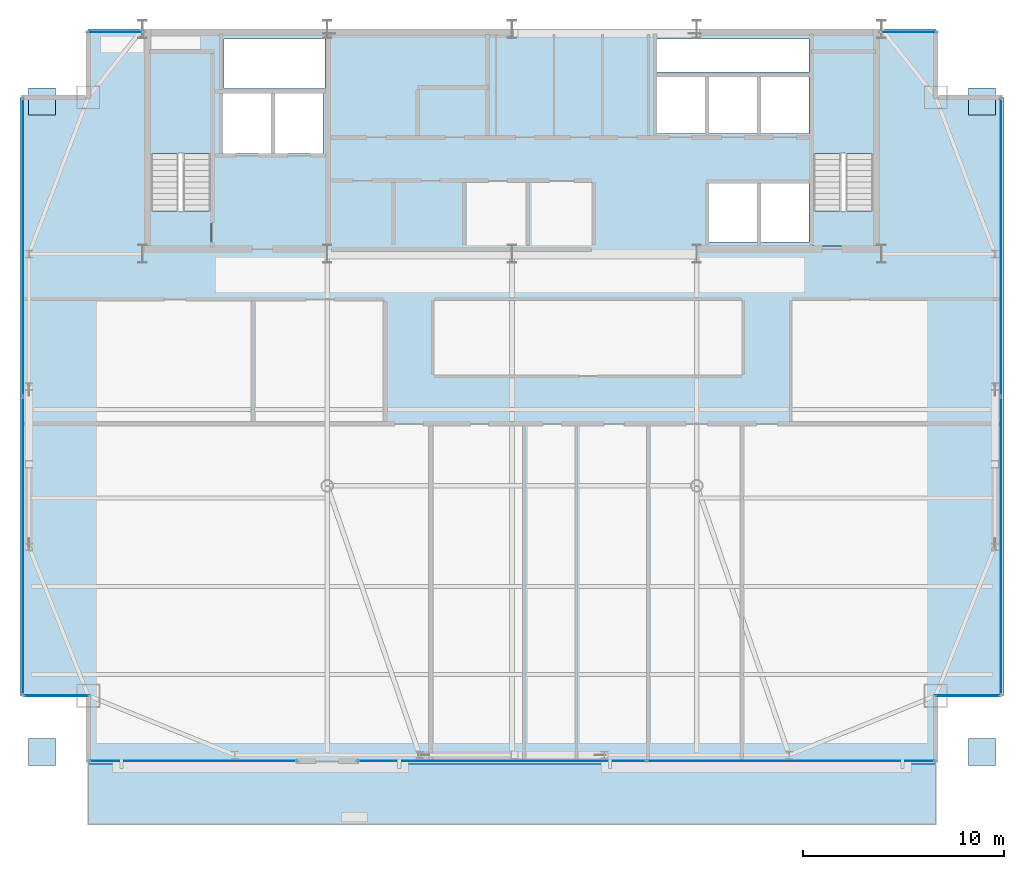
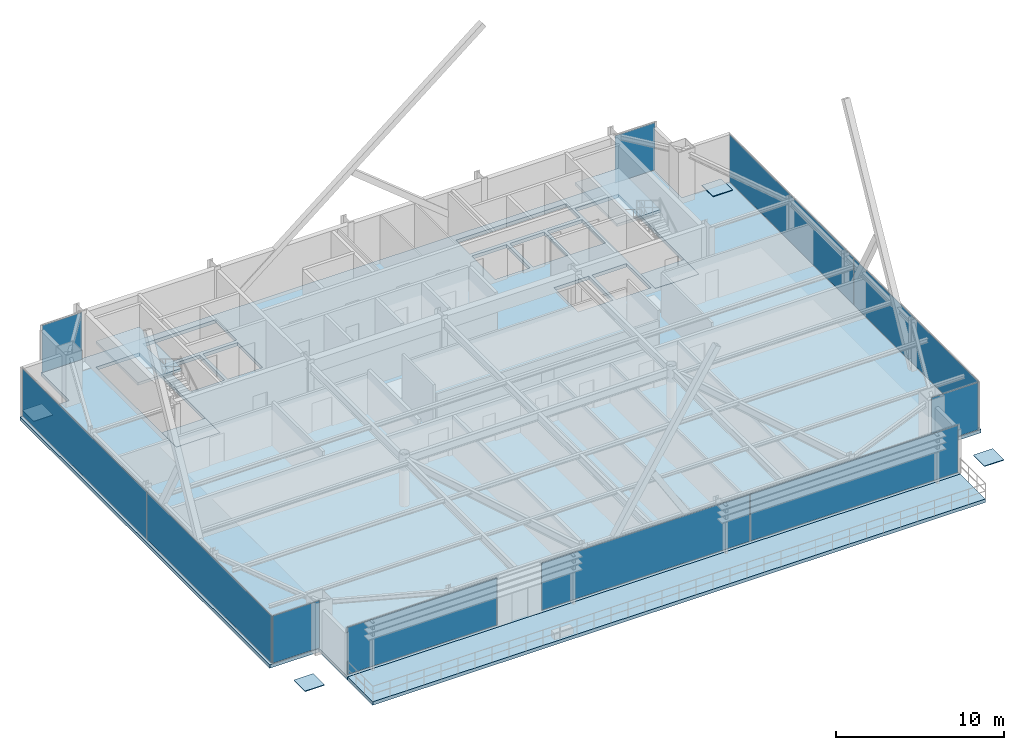
# One storey, part 25 of 33: 15 plates, 6 slabs, 10 elements without a shape of their own.
"""IFC4 building model written with IfcOpenShell, lengths in metres."""

from ifc_helpers import new_model, si_unit, direction, frame, origin, origin_2d, place, context, subcontext, project, spatial, polyline, rectangle, outline, extrude, source, transform, mapped, material, layer, layer_set, type_object, type_shapes, element, aggregate, save


model = new_model("IFC4")

# Units and contexts
model_context = context("Model", 3, precision=1e-05, world=origin(), true_north=direction((0.0, 1.0)))
body_context = subcontext(model_context, "Body", "Model", "MODEL_VIEW")
ifc_project = project(units=[si_unit("LENGTHUNIT", "METRE"), si_unit("AREAUNIT", "SQUARE_METRE"), si_unit("VOLUMEUNIT", "CUBIC_METRE"), si_unit("PLANEANGLEUNIT", "RADIAN"), si_unit("MASSUNIT", "GRAM", prefix="KILO")], contexts=[model_context])

# Site, building, storey
site_placement = place(None, origin())
site = spatial("IfcSite", under=ifc_project, at=site_placement, CompositionType="ELEMENT")
building_placement = place(site_placement, origin())
building = spatial("IfcBuilding", under=site, at=building_placement, Name="Varnel Quay Broadcast Tower", CompositionType="ELEMENT")
storey_placement = place(building_placement, frame((0.0, 0.0, 199.800048828125)))
storey = spatial("IfcBuildingStorey", under=building, at=storey_placement, Name="L49", CompositionType="ELEMENT", Elevation=199.800048828125)

# Slabs
ifc_material_1 = material(Name="Concrete CSA A23.3 C40/50", Category="concrete")
ifc_layer_1 = layer(ifc_material_1, 0.25, Name="Concrete CSA A23.3 C40/50")
ifc_layer_set_1 = layer_set([ifc_layer_1], Name="Concrete CSA A23.3 C40/50")
slab_type_1 = type_object("IfcSlabType", Name="Slab_ExtTerrace250", PredefinedType="FLOOR", material=ifc_layer_set_1)
slab_1_placement = place(storey_placement, frame((0.0, 0.0, -0.25)))
element("IfcSlab", 1, at=slab_1_placement, inside=storey, type_object=slab_type_1, Name="L49 Planted Lobe Terrace Slab 1", PredefinedType="FLOOR", context=body_context, shape_type="SweptSolid", body=[
    extrude(outline(polyline([(12.89990234375, 7.199951171875), (55.10009765625, 7.199951171875), (55.10009765625, 10.199951171875), (12.89990234375, 10.199951171875), (12.89990234375, 7.199951171875)])), origin(), (0.0, 0.0, 1.0), 0.25),
])
ifc_material_2 = material(Name="Concrete CSA A23.3 C50/60", Category="concrete")
ifc_layer_2 = layer(ifc_material_2, 0.25, Name="Concrete CSA A23.3 C50/60")
ifc_layer_set_2 = layer_set([ifc_layer_2], Name="Concrete CSA A23.3 C50/60")
slab_type_2 = type_object("IfcSlabType", Name="Slab_Floor250", PredefinedType="FLOOR", material=ifc_layer_set_2)
slab_2_placement = place(storey_placement, frame((0.0, 0.0, -0.25)))
element("IfcSlab", 2, at=slab_2_placement, inside=storey, type_object=slab_type_2, Name="L49 Structural Slab", PredefinedType="FLOOR", context=body_context, shape_type="SweptSolid", body=[
    extrude(outline(polyline([(12.89990234375, 10.199951171875), (55.10009765625, 10.199951171875), (55.10009765625, 13.60009765625), (58.5, 13.60009765625), (58.5, 43.39990234375), (55.10009765625, 43.39990234375), (55.10009765625, 46.800048828125), (12.89990234375, 46.800048828125), (12.89990234375, 43.39990234375), (9.5, 43.39990234375), (9.5, 13.60009765625), (12.89990234375, 13.60009765625), (12.89990234375, 10.199951171875)]), holes=[polyline([(19.0, 36.0), (16.0, 36.0), (16.0, 45.60009765625), (19.0, 45.60009765625), (19.0, 36.0)]), polyline([(19.60009765625, 40.60009765625), (19.60009765625, 43.60009765625), (22.0, 43.60009765625), (22.0, 40.60009765625), (19.60009765625, 40.60009765625)]), polyline([(22.199951171875, 40.60009765625), (22.199951171875, 43.60009765625), (24.60009765625, 43.60009765625), (24.60009765625, 40.60009765625), (22.199951171875, 40.60009765625)]), polyline([(41.199951171875, 44.39990234375), (43.60009765625, 44.39990234375), (43.60009765625, 41.60009765625), (41.199951171875, 41.60009765625), (41.199951171875, 44.39990234375)]), polyline([(43.800048828125, 44.39990234375), (46.199951171875, 44.39990234375), (46.199951171875, 41.60009765625), (43.800048828125, 41.60009765625), (43.800048828125, 44.39990234375)]), polyline([(19.64990234375, 43.85009765625), (19.64990234375, 46.300048828125), (24.679931640625, 46.300048828125), (24.679931640625, 43.85009765625), (19.64990234375, 43.85009765625)]), polyline([(43.800048828125, 39.10009765625), (46.199951171875, 39.10009765625), (46.199951171875, 36.199951171875), (43.800048828125, 36.199951171875), (43.800048828125, 39.10009765625)]), polyline([(46.39990234375, 39.10009765625), (48.800048828125, 39.10009765625), (48.800048828125, 36.199951171875), (46.39990234375, 36.199951171875), (46.39990234375, 39.10009765625)]), polyline([(52.0, 36.0), (49.0, 36.0), (49.0, 45.60009765625), (52.0, 45.60009765625), (52.0, 36.0)]), polyline([(46.39990234375, 44.39990234375), (48.800048828125, 44.39990234375), (48.800048828125, 41.60009765625), (46.39990234375, 41.60009765625), (46.39990234375, 44.39990234375)]), polyline([(41.199951171875, 46.300048828125), (48.800048828125, 46.300048828125), (48.800048828125, 44.64990234375), (41.199951171875, 44.64990234375), (41.199951171875, 46.300048828125)])]), origin(), (0.0, 0.0, 1.0), 0.25),
])
ifc_layer_3 = layer(ifc_material_2, 0.25, Name="Concrete CSA A23.3 C50/60")
ifc_layer_set_3 = layer_set([ifc_layer_3], Name="Concrete CSA A23.3 C50/60")
slab_type_3 = type_object("IfcSlabType", Name="Slab_StairFloorLanding250", PredefinedType="FLOOR", material=ifc_layer_set_3)
slab_3_placement = place(storey_placement, frame((0.0, 0.0, -0.25)))
element("IfcSlab", 3, at=slab_3_placement, inside=storey, type_object=slab_type_3, Name="L49 ST-01 Structural Floor Landing Slab", PredefinedType="FLOOR", context=body_context, shape_type="SweptSolid", body=[
    extrude(outline(polyline([(19.0, 36.0), (19.0, 37.75), (16.0, 37.75), (16.0, 36.0), (19.0, 36.0)])), origin(), (0.0, 0.0, 1.0), 0.25),
])
slab_4_placement = place(storey_placement, frame((0.0, 0.0, -0.25)))
element("IfcSlab", 4, at=slab_4_placement, inside=storey, type_object=slab_type_3, Name="L49 ST-02 Structural Floor Landing Slab", PredefinedType="FLOOR", context=body_context, shape_type="SweptSolid", body=[
    extrude(outline(polyline([(52.0, 36.0), (52.0, 37.75), (49.0, 37.75), (49.0, 36.0), (52.0, 36.0)])), origin(), (0.0, 0.0, 1.0), 0.25),
])

# Stair, slab
ifc_material_3 = material(Name="Precast Structural Concrete C40/50", Category="concrete")
stair_type_1 = type_object("IfcStairType", Name="Stair_ST-01", PredefinedType="HALF_TURN_STAIR", material=ifc_material_3)
stair_1_placement = place(storey_placement, origin())
stair_1 = element("IfcStair", 5, at=stair_1_placement, inside=storey, type_object=stair_type_1, Name="L49 West Core Exit Stair 1", PredefinedType="HALF_TURN_STAIR")
ifc_layer_4 = layer(ifc_material_3, 0.199951171875, Name="Precast Structural Concrete C40/50")
ifc_layer_set_4 = layer_set([ifc_layer_4], Name="Precast Structural Concrete C40/50")
slab_type_4 = type_object("IfcSlabType", Name="Slab_StairLanding200", PredefinedType="LANDING", material=ifc_layer_set_4)
slab_5_placement = place(storey_placement, frame((0.0, 0.0, 1.699951171875)))
slab_5 = element("IfcSlab", 6, at=slab_5_placement, type_object=slab_type_4, Name="ST-01 landing 1", PredefinedType="LANDING", context=body_context, shape_type="SweptSolid", body=[
    extrude(outline(polyline([(19.0, 40.60009765625), (19.0, 45.60009765625), (16.0, 45.60009765625), (16.0, 40.60009765625), (19.0, 40.60009765625)])), origin(), (0.0, 0.0, 1.0), 0.199951171875),
])
aggregate(stair_1, [slab_5])

stair_type_2 = type_object("IfcStairType", Name="Stair_ST-02", PredefinedType="HALF_TURN_STAIR", material=ifc_material_3)
stair_2_placement = place(storey_placement, origin())
stair_2 = element("IfcStair", 7, at=stair_2_placement, inside=storey, type_object=stair_type_2, Name="L49 East Core Exit Stair 2", PredefinedType="HALF_TURN_STAIR")
slab_6_placement = place(storey_placement, frame((0.0, 0.0, 1.699951171875)))
slab_6 = element("IfcSlab", 8, at=slab_6_placement, type_object=slab_type_4, Name="ST-02 landing 1", PredefinedType="LANDING", context=body_context, shape_type="SweptSolid", body=[
    extrude(outline(polyline([(52.0, 40.60009765625), (52.0, 45.60009765625), (49.0, 45.60009765625), (49.0, 40.60009765625), (52.0, 40.60009765625)])), origin(), (0.0, 0.0, 1.0), 0.199951171875),
])
aggregate(stair_2, [slab_6])

# Plates
ifc_material_4 = material(Name="Structural Steel CSA G40.21 350WT", Category="steel")
ifc_layer_5 = layer(ifc_material_4, 0.050048828125, Name="Structural Steel CSA G40.21 350WT")
ifc_layer_set_5 = layer_set([ifc_layer_5], Name="Structural Steel CSA G40.21 350WT")
plate_type_1 = type_object("IfcPlateType", Name="Plate_BasePlate", PredefinedType="SHEET", material=ifc_layer_set_5)
shared_shape_1 = source(origin(), body_context, "Body", "SweptSolid", [
    extrude(rectangle(XDim=1.340087890625, YDim=1.340087890625, at=origin_2d()), origin(), (0.0, 0.0, 1.0), 0.050048828125),
])
type_shapes(plate_type_1, [shared_shape_1])
for number, where, z_axis, x_axis, name in (
    (9, (10.60009765625, 10.800048828125, -0.0048828125), (0.0, 0.0, 1.0), (1.0, 0.0, 0.0), "L48 Hollow Column Top Cap Plate MC-SW"),
    (10, (57.39990234375, 10.800048828125, -0.0048828125), (0.0, 0.0, 1.0), (1.0, 0.0, 0.0), "L48 Hollow Column Top Cap Plate MC-SE"),
    (11, (57.39990234375, 43.199951171875, -0.0048828125), (0.0, 0.0, 1.0), (1.0, 0.0, 0.0), "L48 Hollow Column Top Cap Plate MC-NE"),
    (12, (10.60009765625, 43.199951171875, -0.0048828125), (0.0, 0.0, 1.0), (1.0, 0.0, 0.0), "L48 Hollow Column Top Cap Plate MC-NW"),
):
    element("IfcPlate", number, at=place(storey_placement, frame(where, z_axis=z_axis, x_axis=x_axis)), inside=storey, type_object=plate_type_1, Name=name, PredefinedType="SHEET", context=body_context, shape_type="MappedRepresentation", body=[
        mapped(shared_shape_1, transform((0.0, 0.0, 0.0), x_axis=(1.0, 0.0, 0.0), y_axis=(0.0, 1.0, 0.0), z_axis=(0.0, 0.0, 1.0), scale=1.0)),
    ])

# Curtain wall, plate
ifc_material_5 = material(Name="Anodised Bronze Aluminium 6063-T6", Category="aluminium")
ifc_layer_6 = layer(ifc_material_5, 0.18994140625, Name="Anodised Bronze Aluminium 6063-T6")
ifc_layer_set_6 = layer_set([ifc_layer_6], Name="Anodised Bronze Aluminium 6063-T6")
curtain_wall_type_1 = type_object("IfcCurtainWallType", Name="CW_UpperTower", PredefinedType="NOTDEFINED", material=ifc_layer_set_6)
curtain_wall_1_placement = place(storey_placement, origin())
curtain_wall_1 = element("IfcCurtainWall", 13, at=curtain_wall_1_placement, inside=storey, type_object=curtain_wall_type_1, Name="L49 South Unitised Curtain Wall 1", PredefinedType="NOTDEFINED")
ifc_material_6 = material(Name="Triple-Glazed Bronze Low-E Architectural Glass", Category="glass")
ifc_layer_7 = layer(ifc_material_6, 0.030029296875, Name="Triple-Glazed Bronze Low-E Architectural Glass")
ifc_layer_set_7 = layer_set([ifc_layer_7], Name="Triple-Glazed Bronze Low-E Architectural Glass")
plate_type_2 = type_object("IfcPlateType", Name="Panel_CWS-03", PredefinedType="CURTAIN_PANEL", material=ifc_layer_set_7)
shared_shape_2 = source(origin(), body_context, "Body", "SweptSolid", [
    extrude(rectangle(XDim=10.2900390625, YDim=0.030029296875, at=origin_2d()), origin(), (0.0, 0.0, 1.0), 3.429931640625),
])
plate_1_placement = place(storey_placement, frame((18.110107421875, 10.35009765625, 0.06005859375), z_axis=(0.0, 0.0, 1.0), x_axis=(1.0, 0.0, 0.0)))
plate_1 = element("IfcPlate", 14, at=plate_1_placement, type_object=plate_type_2, Name="CWS-03 panel 1.1", PredefinedType="CURTAIN_PANEL", context=body_context, shape_type="MappedRepresentation", body=[
    mapped(shared_shape_2, transform((0.0, 0.0, 0.0), x_axis=(1.0, 0.0, 0.0), y_axis=(0.0, 1.0, 0.0), z_axis=(0.0, 0.0, 1.0), scale=1.0)),
])
aggregate(curtain_wall_1, [plate_1])

# Curtain wall, plates
curtain_wall_2_placement = place(storey_placement, origin())
curtain_wall_2 = element("IfcCurtainWall", 15, at=curtain_wall_2_placement, inside=storey, type_object=curtain_wall_type_1, Name="L49 South Unitised Curtain Wall 2", PredefinedType="NOTDEFINED")
ifc_material_7 = material(Name="Insulated Bronze Spandrel Glass", Category="glass")
ifc_layer_8 = layer(ifc_material_7, 0.030029296875, Name="Insulated Bronze Spandrel Glass")
ifc_layer_set_8 = layer_set([ifc_layer_8], Name="Insulated Bronze Spandrel Glass")
plate_type_3 = type_object("IfcPlateType", Name="PanelSp_CWS-03", PredefinedType="CURTAIN_PANEL", material=ifc_layer_set_8)
shared_shape_3 = source(origin(), body_context, "Body", "SweptSolid", [
    extrude(rectangle(XDim=14.3125, YDim=0.030029296875, at=origin_2d()), origin(), (0.0, 0.0, 1.0), 3.429931640625),
])
plate_2_placement = place(storey_placement, frame((33.501220703125, 10.35009765625, 0.06005859375), z_axis=(0.0, 0.0, 1.0), x_axis=(1.0, 0.0, 0.0)))
plate_2 = element("IfcPlate", 16, at=plate_2_placement, type_object=plate_type_3, Name="CWS-03 panel 1.1", PredefinedType="CURTAIN_PANEL", context=body_context, shape_type="MappedRepresentation", body=[
    mapped(shared_shape_3, transform((0.0, 0.0, 0.0), x_axis=(1.0, 0.0, 0.0), y_axis=(0.0, 1.0, 0.0), z_axis=(0.0, 0.0, 1.0), scale=1.0)),
])
shared_shape_4 = source(origin(), body_context, "Body", "SweptSolid", [
    extrude(rectangle(XDim=14.3125, YDim=0.030029296875, at=origin_2d()), origin(), (0.0, 0.0, 1.0), 3.429931640625),
])
plate_3_placement = place(storey_placement, frame((47.878662109375, 10.35009765625, 0.06005859375), z_axis=(0.0, 0.0, 1.0), x_axis=(1.0, 0.0, 0.0)))
plate_3 = element("IfcPlate", 17, at=plate_3_placement, type_object=plate_type_2, Name="CWS-03 panel 2.1", PredefinedType="CURTAIN_PANEL", context=body_context, shape_type="MappedRepresentation", body=[
    mapped(shared_shape_4, transform((0.0, 0.0, 0.0), x_axis=(1.0, 0.0, 0.0), y_axis=(0.0, 1.0, 0.0), z_axis=(0.0, 0.0, 1.0), scale=1.0)),
])
aggregate(curtain_wall_2, [plate_2, plate_3])

curtain_wall_3_placement = place(storey_placement, origin())
curtain_wall_3 = element("IfcCurtainWall", 18, at=curtain_wall_3_placement, inside=storey, type_object=curtain_wall_type_1, Name="L49 West Unitised Curtain Wall", PredefinedType="NOTDEFINED")
shared_shape_5 = source(origin(), body_context, "Body", "SweptSolid", [
    extrude(rectangle(XDim=14.802490234375, YDim=0.030029296875, at=origin_2d()), origin(), (0.0, 0.0, 1.0), 3.429931640625),
])
type_shapes(plate_type_3, [shared_shape_3, shared_shape_5])
plate_4_placement = place(storey_placement, frame((9.64990234375, 21.066162109375, 0.06005859375), z_axis=(0.0, 0.0, 1.0), x_axis=(0.0, 1.0, 0.0)))
plate_4 = element("IfcPlate", 19, at=plate_4_placement, type_object=plate_type_3, Name="CWS-03 panel 1.1", PredefinedType="CURTAIN_PANEL", context=body_context, shape_type="MappedRepresentation", body=[
    mapped(shared_shape_5, transform((0.0, 0.0, 0.0), x_axis=(1.0, 0.0, 0.0), y_axis=(0.0, 1.0, 0.0), z_axis=(0.0, 0.0, 1.0), scale=1.0)),
])
plate_5_placement = place(storey_placement, frame((9.64990234375, 35.933837890625, 0.06005859375), z_axis=(0.0, 0.0, 1.0), x_axis=(0.0, 1.0, 0.0)))
plate_5 = element("IfcPlate", 20, at=plate_5_placement, type_object=plate_type_3, Name="CWS-03 panel 2.1", PredefinedType="CURTAIN_PANEL", context=body_context, shape_type="MappedRepresentation", body=[
    mapped(shared_shape_5, transform((0.0, 0.0, 0.0), x_axis=(1.0, 0.0, 0.0), y_axis=(0.0, 1.0, 0.0), z_axis=(0.0, 0.0, 1.0), scale=1.0)),
])
aggregate(curtain_wall_3, [plate_4, plate_5])

curtain_wall_4_placement = place(storey_placement, origin())
curtain_wall_4 = element("IfcCurtainWall", 21, at=curtain_wall_4_placement, inside=storey, type_object=curtain_wall_type_1, Name="L49 East Unitised Curtain Wall", PredefinedType="NOTDEFINED")
plate_6_placement = place(storey_placement, frame((58.35009765625, 21.066162109375, 0.06005859375), z_axis=(0.0, 0.0, 1.0), x_axis=(0.0, 1.0, 0.0)))
plate_6 = element("IfcPlate", 22, at=plate_6_placement, type_object=plate_type_3, Name="CWS-03 panel 1.1", PredefinedType="CURTAIN_PANEL", context=body_context, shape_type="MappedRepresentation", body=[
    mapped(shared_shape_5, transform((0.0, 0.0, 0.0), x_axis=(1.0, 0.0, 0.0), y_axis=(0.0, 1.0, 0.0), z_axis=(0.0, 0.0, 1.0), scale=1.0)),
])
plate_7_placement = place(storey_placement, frame((58.35009765625, 35.933837890625, 0.06005859375), z_axis=(0.0, 0.0, 1.0), x_axis=(0.0, 1.0, 0.0)))
plate_7 = element("IfcPlate", 23, at=plate_7_placement, type_object=plate_type_3, Name="CWS-03 panel 2.1", PredefinedType="CURTAIN_PANEL", context=body_context, shape_type="MappedRepresentation", body=[
    mapped(shared_shape_5, transform((0.0, 0.0, 0.0), x_axis=(1.0, 0.0, 0.0), y_axis=(0.0, 1.0, 0.0), z_axis=(0.0, 0.0, 1.0), scale=1.0)),
])
aggregate(curtain_wall_4, [plate_6, plate_7])

# Curtain wall, plate
ifc_layer_9 = layer(ifc_material_5, 0.18994140625, Name="Anodised Bronze Aluminium 6063-T6")
ifc_layer_set_9 = layer_set([ifc_layer_9], Name="Anodised Bronze Aluminium 6063-T6")
curtain_wall_type_2 = type_object("IfcCurtainWallType", Name="CW_NotchCorner", PredefinedType="NOTDEFINED", material=ifc_layer_set_9)
curtain_wall_5_placement = place(storey_placement, origin())
curtain_wall_5 = element("IfcCurtainWall", 24, at=curtain_wall_5_placement, inside=storey, type_object=curtain_wall_type_2, Name="L49 SW Notch Curtain Wall", PredefinedType="NOTDEFINED")
ifc_layer_10 = layer(ifc_material_6, 0.028076171875, Name="Triple-Glazed Bronze Low-E Architectural Glass")
ifc_layer_set_10 = layer_set([ifc_layer_10], Name="Triple-Glazed Bronze Low-E Architectural Glass")
plate_type_4 = type_object("IfcPlateType", Name="Panel_CWS-04", PredefinedType="CURTAIN_PANEL", material=ifc_layer_set_10)
shared_shape_6 = source(origin(), body_context, "Body", "SweptSolid", [
    extrude(rectangle(XDim=3.2099609375, YDim=0.028076171875, at=origin_2d()), origin(), (0.0, 0.0, 1.0), 3.43994140625),
])
type_shapes(plate_type_4, [shared_shape_6])
plate_8_placement = place(storey_placement, frame((11.31494140625, 13.60009765625, 0.054931640625), z_axis=(0.0, 0.0, 1.0), x_axis=(1.0, 0.0, 0.0)))
plate_8 = element("IfcPlate", 25, at=plate_8_placement, type_object=plate_type_4, Name="CWS-04 panel 1.1", PredefinedType="CURTAIN_PANEL", context=body_context, shape_type="MappedRepresentation", body=[
    mapped(shared_shape_6, transform((0.0, 0.0, 0.0), x_axis=(1.0, 0.0, 0.0), y_axis=(0.0, 1.0, 0.0), z_axis=(0.0, 0.0, 1.0), scale=1.0)),
])
aggregate(curtain_wall_5, [plate_8])

curtain_wall_6_placement = place(storey_placement, origin())
curtain_wall_6 = element("IfcCurtainWall", 26, at=curtain_wall_6_placement, inside=storey, type_object=curtain_wall_type_2, Name="L49 SE Notch Curtain Wall", PredefinedType="NOTDEFINED")
plate_9_placement = place(storey_placement, frame((56.68505859375, 13.60009765625, 0.054931640625), z_axis=(0.0, 0.0, 1.0), x_axis=(1.0, 0.0, 0.0)))
plate_9 = element("IfcPlate", 27, at=plate_9_placement, type_object=plate_type_4, Name="CWS-04 panel 1.1", PredefinedType="CURTAIN_PANEL", context=body_context, shape_type="MappedRepresentation", body=[
    mapped(shared_shape_6, transform((0.0, 0.0, 0.0), x_axis=(1.0, 0.0, 0.0), y_axis=(0.0, 1.0, 0.0), z_axis=(0.0, 0.0, 1.0), scale=1.0)),
])
aggregate(curtain_wall_6, [plate_9])

curtain_wall_7_placement = place(storey_placement, origin())
curtain_wall_7 = element("IfcCurtainWall", 28, at=curtain_wall_7_placement, inside=storey, type_object=curtain_wall_type_1, Name="L49 NW Wing Curtain Wall", PredefinedType="NOTDEFINED")
shared_shape_7 = source(origin(), body_context, "Body", "SweptSolid", [
    extrude(rectangle(XDim=2.75, YDim=0.030029296875, at=origin_2d()), origin(), (0.0, 0.0, 1.0), 3.429931640625),
])
type_shapes(plate_type_2, [shared_shape_2, shared_shape_4, shared_shape_7])
plate_10_placement = place(storey_placement, frame((14.260009765625, 46.64990234375, 0.06005859375), z_axis=(0.0, 0.0, 1.0), x_axis=(1.0, 0.0, 0.0)))
plate_10 = element("IfcPlate", 29, at=plate_10_placement, type_object=plate_type_2, Name="CWS-03 panel 1.1", PredefinedType="CURTAIN_PANEL", context=body_context, shape_type="MappedRepresentation", body=[
    mapped(shared_shape_7, transform((0.0, 0.0, 0.0), x_axis=(1.0, 0.0, 0.0), y_axis=(0.0, 1.0, 0.0), z_axis=(0.0, 0.0, 1.0), scale=1.0)),
])
aggregate(curtain_wall_7, [plate_10])

curtain_wall_8_placement = place(storey_placement, origin())
curtain_wall_8 = element("IfcCurtainWall", 30, at=curtain_wall_8_placement, inside=storey, type_object=curtain_wall_type_1, Name="L49 NE Wing Curtain Wall", PredefinedType="NOTDEFINED")
plate_11_placement = place(storey_placement, frame((53.739990234375, 46.64990234375, 0.06005859375), z_axis=(0.0, 0.0, 1.0), x_axis=(1.0, 0.0, 0.0)))
plate_11 = element("IfcPlate", 31, at=plate_11_placement, type_object=plate_type_2, Name="CWS-03 panel 1.1", PredefinedType="CURTAIN_PANEL", context=body_context, shape_type="MappedRepresentation", body=[
    mapped(shared_shape_7, transform((0.0, 0.0, 0.0), x_axis=(1.0, 0.0, 0.0), y_axis=(0.0, 1.0, 0.0), z_axis=(0.0, 0.0, 1.0), scale=1.0)),
])
aggregate(curtain_wall_8, [plate_11])

save(model, "model.ifc")
